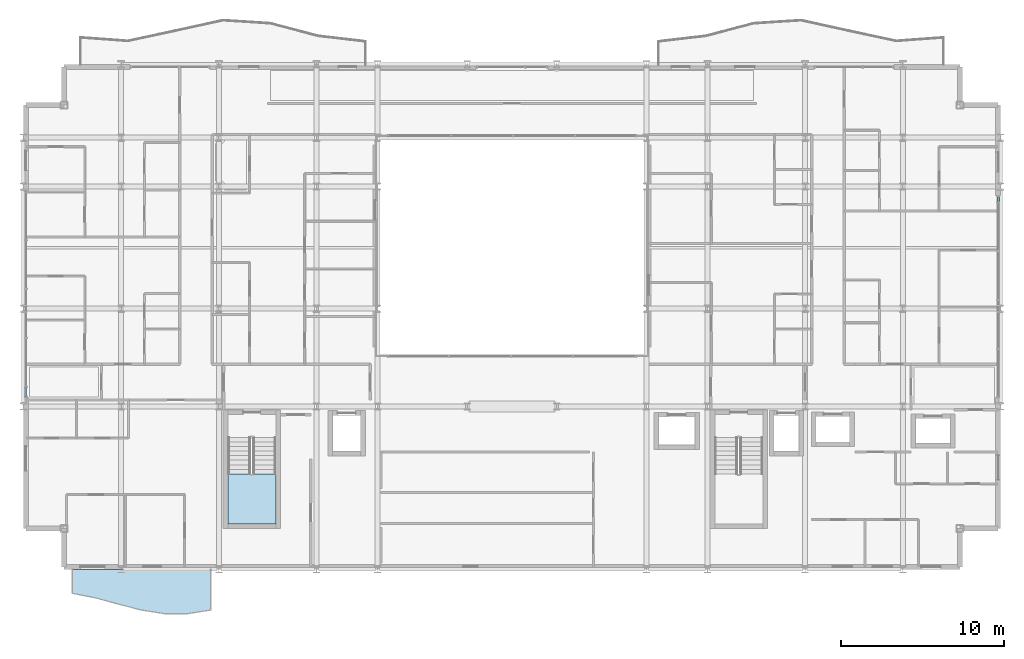
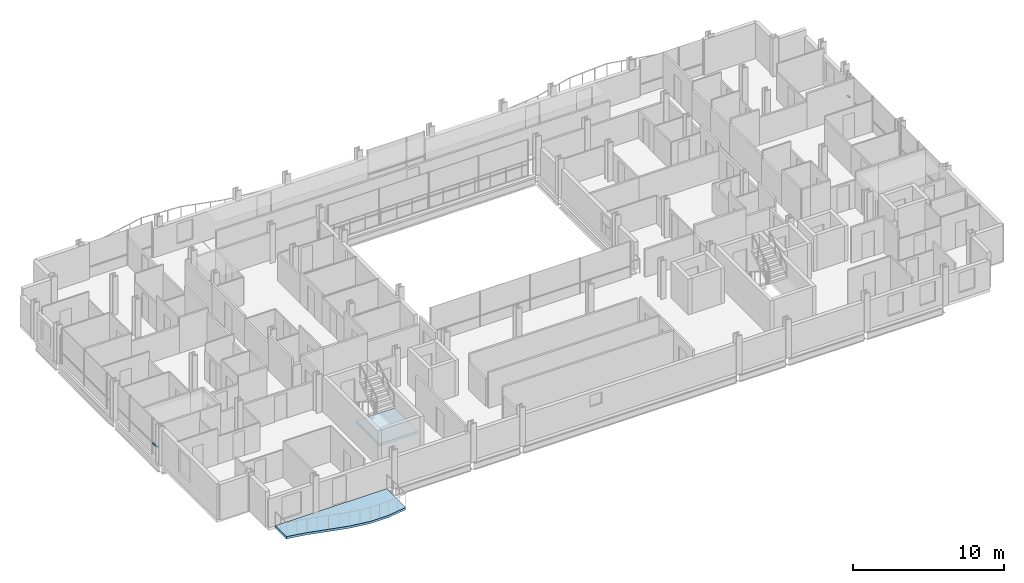
# One storey, part 25 of 40: 2 members, 2 slabs, 3 elements without a shape of their own.
"""IFC4 building model written with IfcOpenShell, lengths in metres."""

from ifc_helpers import new_model, si_unit, direction, frame, origin, origin_2d, place, context, subcontext, project, spatial, polyline, hollow_rectangle, outline, extrude, material, layer, layer_set, material_profile, profile_set, type_object, element, aggregate, save


model = new_model("IFC4")

# Units and contexts
model_context = context("Model", 3, precision=1e-05, world=origin(), true_north=direction((0.0, 1.0)))
body_context = subcontext(model_context, "Body", "Model", "MODEL_VIEW")
ifc_project = project(units=[si_unit("LENGTHUNIT", "METRE"), si_unit("AREAUNIT", "SQUARE_METRE"), si_unit("VOLUMEUNIT", "CUBIC_METRE"), si_unit("PLANEANGLEUNIT", "RADIAN"), si_unit("MASSUNIT", "GRAM", prefix="KILO")], contexts=[model_context])

# Site, building, storey
site_placement = place(None, origin())
site = spatial("IfcSite", under=ifc_project, at=site_placement, CompositionType="ELEMENT")
building_placement = place(site_placement, origin())
building = spatial("IfcBuilding", under=site, at=building_placement, Name="Brevholm Reach", CompositionType="ELEMENT")
storey_placement = place(building_placement, frame((0.0, 0.0, 62.10009765625)))
storey = spatial("IfcBuildingStorey", under=building, at=storey_placement, Name="L17", CompositionType="ELEMENT", Elevation=62.10009765625)

# Curtain wall, member
ifc_material_1 = material(Name="Dark Anodised Aluminium 6063-T6 and Solar-Control Glass", Category="aluminium")
ifc_layer_1 = layer(ifc_material_1, 0.14990234375)
ifc_layer_set_1 = layer_set([ifc_layer_1], Name="Dark Anodised Aluminium 6063-T6 and Solar-Control Glass")
curtain_wall_type = type_object("IfcCurtainWallType", Name="CW-01", PredefinedType="NOTDEFINED", material=ifc_layer_set_1)
curtain_wall_1_placement = place(storey_placement, origin())
curtain_wall_1 = element("IfcCurtainWall", 1, at=curtain_wall_1_placement, inside=storey, type_object=curtain_wall_type, Name="L17 Curtain Wall CW-01", PredefinedType="NOTDEFINED")
ifc_material_2 = material(Name="Dark Anodised Aluminium 6063-T6", Category="aluminium")
ifc_material_profile = material_profile(ifc_material_2, hollow_rectangle(XDim=0.06494140625, YDim=0.14990234375, WallThickness=0.0048828125, InnerFilletRadius=0.0048828125, OuterFilletRadius=0.010009765625, at=origin_2d()), Name="RHS 150x65x5")
ifc_profile_set = profile_set([ifc_material_profile], Name="Dark Anodised Aluminium 6063-T6")
member_type = type_object("IfcMemberType", Name="CWT-150", PredefinedType="NOTDEFINED", material=ifc_profile_set)
member_1_placement = place(storey_placement, frame((0.14990234375, 11.1875, 0.89990234375), z_axis=(0.0, -1.0, 0.0), x_axis=(0.0, 0.0, 1.0)))
member_1 = element("IfcMember", 2, at=member_1_placement, type_object=member_type, Name="CT-150 Transom 5.1", ObjectType="TRANSOM", PredefinedType="USERDEFINED", context=body_context, shape_type="SweptSolid", body=[
    extrude(hollow_rectangle(XDim=0.06494140625, YDim=0.14990234375, WallThickness=0.0048828125, InnerFilletRadius=0.0048828125, OuterFilletRadius=0.010009765625, at=origin_2d()), origin(), (0.0, 0.0, 1.0), 0.572509765625),
])
aggregate(curtain_wall_1, [member_1])

curtain_wall_2_placement = place(storey_placement, origin())
curtain_wall_2 = element("IfcCurtainWall", 3, at=curtain_wall_2_placement, inside=storey, type_object=curtain_wall_type, Name="L17 Curtain Wall CW-01", PredefinedType="NOTDEFINED")
member_2_placement = place(storey_placement, frame((59.85009765625, 22.58251953125, 0.89990234375), z_axis=(0.0, 1.0, 0.0), x_axis=(0.0, 0.0, 1.0)))
member_2 = element("IfcMember", 4, at=member_2_placement, type_object=member_type, Name="CT-150 Transom 5.1", ObjectType="TRANSOM", PredefinedType="USERDEFINED", context=body_context, shape_type="SweptSolid", body=[
    extrude(hollow_rectangle(XDim=0.06494140625, YDim=0.14990234375, WallThickness=0.0048828125, InnerFilletRadius=0.0048828125, OuterFilletRadius=0.010009765625, at=origin_2d()), origin(), (0.0, 0.0, 1.0), 0.302490234375),
])
aggregate(curtain_wall_2, [member_2])

# Slab
ifc_material_3 = material(Name="Precast Concrete C40/50", Category="concrete")
ifc_layer_2 = layer(ifc_material_3, 0.179931640625)
ifc_layer_set_2 = layer_set([ifc_layer_2], Name="Precast Concrete C40/50")
slab_type_1 = type_object("IfcSlabType", Name="SLB-BAL-180", PredefinedType="FLOOR", material=ifc_layer_set_2)
slab_1_placement = place(storey_placement, frame((0.0, 0.0, -0.18017578125)))
element("IfcSlab", 5, at=slab_1_placement, inside=storey, type_object=slab_type_1, Name="L17 Rippling External Balcony SW", PredefinedType="FLOOR", context=body_context, shape_type="SweptSolid", body=[
    extrude(outline(polyline([(3.0, -1.4736328125), (4.416748046875, -1.747802734375), (5.833251953125, -2.1337890625), (7.25, -2.499755859375), (8.666748046875, -2.720458984375), (10.083251953125, -2.720458984375), (11.5, -2.499755859375), (11.5, 0.0), (3.0, 0.0), (3.0, -1.4736328125)])), origin(), (0.0, 0.0, 1.0), 0.18017578125),
])

# Stair, slab
ifc_material_4 = material(Name="Precast Concrete C40/50", Category="concrete")
stair_type = type_object("IfcStairType", Name="STR-ESC-1400", PredefinedType="DOUBLE_RETURN_STAIR", material=ifc_material_4)
stair_placement = place(storey_placement, origin())
stair = element("IfcStair", 6, at=stair_placement, inside=storey, type_object=stair_type, Name="L17 ST-1", PredefinedType="DOUBLE_RETURN_STAIR")
ifc_material_5 = material(Name="Concrete C40/50", Category="concrete")
ifc_layer_3 = layer(ifc_material_5, 0.199951171875)
ifc_layer_set_3 = layer_set([ifc_layer_3], Name="Concrete C40/50")
slab_type_2 = type_object("IfcSlabType", Name="SLB-LND-200", PredefinedType="LANDING", material=ifc_layer_set_3)
slab_2_placement = place(storey_placement, frame((0.0, 0.0, 1.349853515625)))
slab_2 = element("IfcSlab", 7, at=slab_2_placement, type_object=slab_type_2, Name="ST-1 landing 1", PredefinedType="LANDING", context=body_context, shape_type="SweptSolid", body=[
    extrude(outline(polyline([(12.550048828125, 5.860107421875), (12.550048828125, 2.780029296875), (15.5, 2.780029296875), (15.5, 5.860107421875), (12.550048828125, 5.860107421875)])), origin(), (0.0, 0.0, 1.0), 0.199951171875),
])
aggregate(stair, [slab_2])

save(model, "model.ifc")
